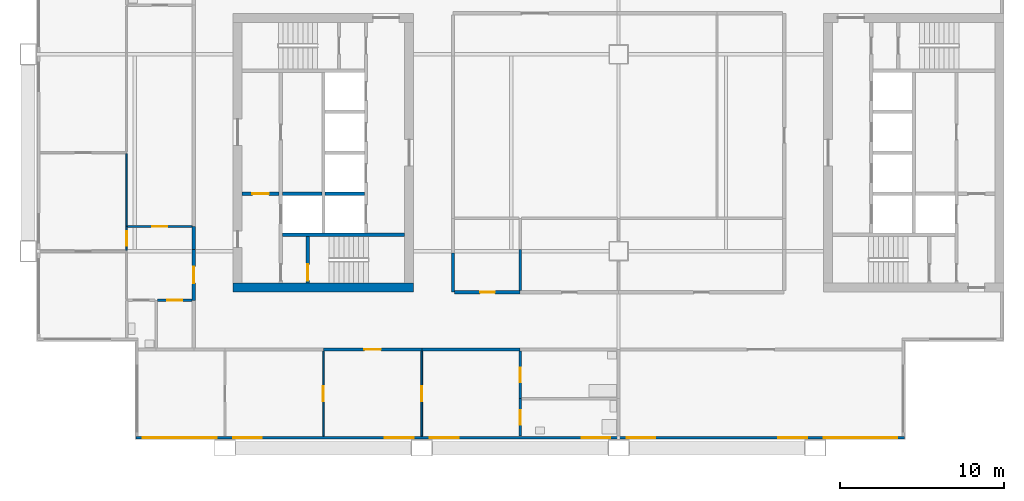
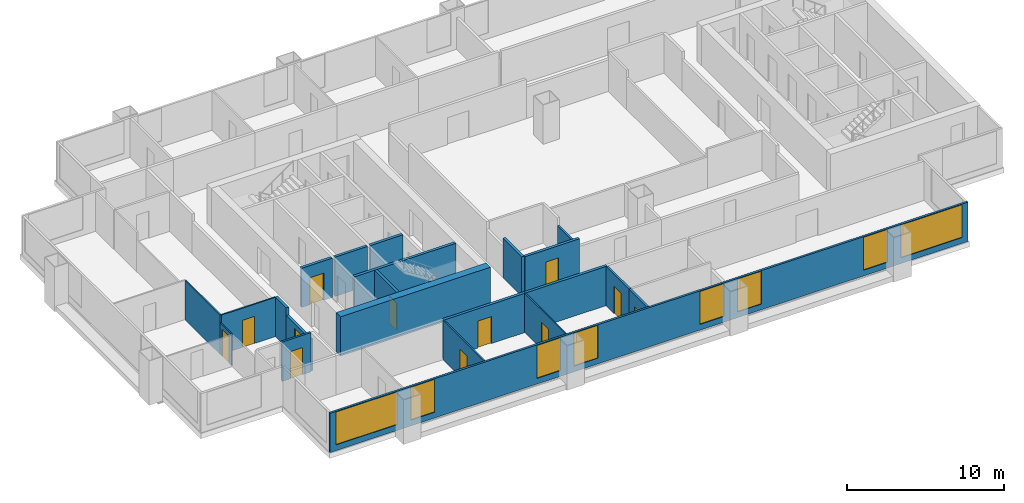
# One storey, part 2 of 8: 22 walls, 12 doors, 8 windows, 20 openings.
"""IFC4 building model written with IfcOpenShell, lengths in metres."""

from ifc_helpers import new_model, si_unit, direction, frame, frame_2d, origin, place, context, subcontext, project, spatial, rectangle, extrude, material, layer, layer_set, type_object, element, fill, save


model = new_model("IFC4")

# Units and contexts
model_context = context("Model", 3, precision=1e-05, world=origin(), true_north=direction((0.0, 1.0)))
body_context = subcontext(model_context, "Body", "Model", "MODEL_VIEW")
ifc_project = project(units=[si_unit("LENGTHUNIT", "METRE"), si_unit("AREAUNIT", "SQUARE_METRE"), si_unit("VOLUMEUNIT", "CUBIC_METRE"), si_unit("PLANEANGLEUNIT", "RADIAN"), si_unit("MASSUNIT", "GRAM", prefix="KILO")], contexts=[model_context])

# Site, building, storey
site_placement = place(None, origin())
site = spatial("IfcSite", under=ifc_project, at=site_placement, CompositionType="ELEMENT")
building_placement = place(site_placement, origin())
building = spatial("IfcBuilding", under=site, at=building_placement, Name="Kitamizu Gate Tower and Museum", CompositionType="ELEMENT")
storey_placement = place(building_placement, frame((0.0, 0.0, 161.699951171875)))
storey = spatial("IfcBuildingStorey", under=building, at=storey_placement, Name="L42", CompositionType="ELEMENT", Elevation=161.699951171875)

# Wall
ifc_material_1 = material(Name="Concrete Fc42", Category="concrete")
ifc_layer_1 = layer(ifc_material_1, 0.550048828125)
ifc_layer_set_1 = layer_set([ifc_layer_1], Name="Concrete Fc42")
wall_type_1 = type_object("IfcWallType", Name="Core wall 550", PredefinedType="SHEAR", material=ifc_layer_set_1)
wall_1_placement = place(storey_placement, frame((12.5, 21.77490234375, 0.0), z_axis=(0.0, 0.0, 1.0), x_axis=(1.0, 0.0, 0.0)))
element("IfcWall", 1, at=wall_1_placement, inside=storey, type_object=wall_type_1, Name="Core wall WS", PredefinedType="SHEAR", context=body_context, shape_type="SweptSolid", body=[
    extrude(rectangle(XDim=11.0, YDim=0.550048828125, at=frame_2d((5.5, 0.0))), origin(), (0.0, 0.0, 1.0), 3.050048828125),
])

# Wall, opening, door
ifc_material_2 = material(Name="Gypsum board on galvanised stud")
ifc_layer_2 = layer(ifc_material_2, 0.10009765625)
ifc_layer_set_2 = layer_set([ifc_layer_2], Name="Gypsum board on galvanised stud")
wall_type_2 = type_object("IfcWallType", Name="Partition 100 NOT RATED", PredefinedType="PARTITIONING", material=ifc_layer_set_2)
wall_2_placement = place(storey_placement, frame((18.0, 12.719970703125, 0.0), z_axis=(0.0, 0.0, 1.0), x_axis=(0.0, 1.0, 0.0)))
wall_2 = element("IfcWall", 2, at=wall_2_placement, inside=storey, type_object=wall_type_2, Name="Partition L42-005", PredefinedType="PARTITIONING", context=body_context, shape_type="SweptSolid", body=[
    extrude(rectangle(XDim=5.179931640625, YDim=0.10009765625, at=frame_2d((2.58984375, 0.0))), origin(), (0.0, 0.0, 1.0), 3.050048828125),
])
opening_1_placement = place(wall_2_placement, frame((2.139892578125, 0.0, 0.0)))
opening_1 = element("IfcOpeningElement", 3, at=opening_1_placement, cuts=wall_2, Name="Opening L42-002", PredefinedType="OPENING", context=body_context, shape_type="SweptSolid", body=[
    extrude(rectangle(XDim=0.89990234375, YDim=2.10009765625, at=frame_2d((0.449951171875, 1.050048828125))), frame((0.0, 0.06005859375, 0.0), z_axis=(0.0, -1.0, 0.0), x_axis=(1.0, 0.0, 0.0)), (0.0, 0.0, 1.0), 0.1201171875),
])
ifc_material_3 = material(Name="Timber door set", Category="wood")
door_type_1 = type_object("IfcDoorType", Name="Room door 900", OperationType="NOTDEFINED", PredefinedType="DOOR", material=ifc_material_3)
door_1_placement = place(opening_1_placement, origin())
door_1 = element("IfcDoor", 4, at=door_1_placement, inside=storey, type_object=door_type_1, Name="Door L42-002", OperationType="SINGLE_SWING_LEFT", OverallHeight=2.10009765625, OverallWidth=0.89990234375, PredefinedType="DOOR", context=body_context, shape_type="SweptSolid", body=[
    extrude(rectangle(XDim=0.89990234375, YDim=2.10009765625, at=frame_2d((0.449951171875, 1.050048828125))), frame((0.0, 0.02490234375, 0.0), z_axis=(0.0, -1.0, 0.0), x_axis=(1.0, 0.0, 0.0)), (0.0, 0.0, 1.0), 0.050048828125),
])
fill(opening_1, door_1)

wall_3_placement = place(storey_placement, frame((24.0, 12.719970703125, 0.0), z_axis=(0.0, 0.0, 1.0), x_axis=(0.0, 1.0, 0.0)))
wall_3 = element("IfcWall", 5, at=wall_3_placement, inside=storey, type_object=wall_type_2, Name="Partition L42-007", PredefinedType="PARTITIONING", context=body_context, shape_type="SweptSolid", body=[
    extrude(rectangle(XDim=5.179931640625, YDim=0.10009765625, at=frame_2d((2.58984375, 0.0))), origin(), (0.0, 0.0, 1.0), 3.050048828125),
])
opening_2_placement = place(wall_3_placement, frame((2.139892578125, 0.0, 0.0)))
opening_2 = element("IfcOpeningElement", 6, at=opening_2_placement, cuts=wall_3, Name="Opening L42-003", PredefinedType="OPENING", context=body_context, shape_type="SweptSolid", body=[
    extrude(rectangle(XDim=0.89990234375, YDim=2.10009765625, at=frame_2d((0.449951171875, 1.050048828125))), frame((0.0, 0.06005859375, 0.0), z_axis=(0.0, -1.0, 0.0), x_axis=(1.0, 0.0, 0.0)), (0.0, 0.0, 1.0), 0.1201171875),
])
door_2_placement = place(opening_2_placement, frame((0.89990234375, 0.0, 0.0), x_axis=(-1.0, 0.0, 0.0)))
door_2 = element("IfcDoor", 7, at=door_2_placement, inside=storey, type_object=door_type_1, Name="Door L42-003", OperationType="SINGLE_SWING_LEFT", OverallHeight=2.10009765625, OverallWidth=0.89990234375, PredefinedType="DOOR", context=body_context, shape_type="SweptSolid", body=[
    extrude(rectangle(XDim=0.89990234375, YDim=2.10009765625, at=frame_2d((0.449951171875, 1.050048828125))), frame((0.0, 0.02490234375, 0.0), z_axis=(0.0, -1.0, 0.0), x_axis=(1.0, 0.0, 0.0)), (0.0, 0.0, 1.0), 0.050048828125),
])
fill(opening_2, door_2)

wall_4_placement = place(storey_placement, frame((6.0, 24.050048828125, 0.0), z_axis=(0.0, 0.0, 1.0), x_axis=(0.0, 1.0, 0.0)))
wall_4 = element("IfcWall", 8, at=wall_4_placement, inside=storey, type_object=wall_type_2, Name="Partition L42-031", PredefinedType="PARTITIONING", context=body_context, shape_type="SweptSolid", body=[
    extrude(rectangle(XDim=1.449951171875, YDim=0.10009765625, at=frame_2d((0.72509765625, 0.0))), origin(), (0.0, 0.0, 1.0), 2.449951171875),
])
opening_3_placement = place(wall_4_placement, frame((0.27490234375, 0.0, 0.0)))
opening_3 = element("IfcOpeningElement", 9, at=opening_3_placement, cuts=wall_4, Name="Opening L42-013", PredefinedType="OPENING", context=body_context, shape_type="SweptSolid", body=[
    extrude(rectangle(XDim=0.89990234375, YDim=2.10009765625, at=frame_2d((0.449951171875, 1.050048828125))), frame((0.0, 0.06005859375, 0.0), z_axis=(0.0, -1.0, 0.0), x_axis=(1.0, 0.0, 0.0)), (0.0, 0.0, 1.0), 0.1201171875),
])
door_3_placement = place(opening_3_placement, origin())
door_3 = element("IfcDoor", 10, at=door_3_placement, inside=storey, type_object=door_type_1, Name="Door L42-013", OperationType="SINGLE_SWING_RIGHT", OverallHeight=2.10009765625, OverallWidth=0.89990234375, PredefinedType="DOOR", context=body_context, shape_type="SweptSolid", body=[
    extrude(rectangle(XDim=0.89990234375, YDim=2.10009765625, at=frame_2d((0.449951171875, 1.050048828125))), frame((0.0, 0.02490234375, 0.0), z_axis=(0.0, -1.0, 0.0), x_axis=(1.0, 0.0, 0.0)), (0.0, 0.0, 1.0), 0.050048828125),
])
fill(opening_3, door_3)

# Wall
wall_5_placement = place(storey_placement, frame((6.0, 25.5, 0.0), z_axis=(0.0, 0.0, 1.0), x_axis=(0.0, 1.0, 0.0)))
element("IfcWall", 11, at=wall_5_placement, inside=storey, type_object=wall_type_2, Name="Partition L42-032", PredefinedType="PARTITIONING", context=body_context, shape_type="SweptSolid", body=[
    extrude(rectangle(XDim=4.449951171875, YDim=0.10009765625, at=frame_2d((2.22509765625, 0.0))), origin(), (0.0, 0.0, 1.0), 3.050048828125),
])

# Wall, opening, door
wall_6_placement = place(storey_placement, frame((10.0, 25.5, 0.0), z_axis=(0.0, 0.0, 1.0), x_axis=(-1.0, 0.0, 0.0)))
wall_6 = element("IfcWall", 12, at=wall_6_placement, inside=storey, type_object=wall_type_2, Name="Partition L42-040", PredefinedType="PARTITIONING", context=body_context, shape_type="SweptSolid", body=[
    extrude(rectangle(XDim=3.949951171875, YDim=0.10009765625, at=frame_2d((1.97509765625, 0.0))), origin(), (0.0, 0.0, 1.0), 3.050048828125),
])
opening_4_placement = place(wall_6_placement, frame((1.52490234375, 0.0, 0.0)))
opening_4 = element("IfcOpeningElement", 13, at=opening_4_placement, cuts=wall_6, Name="Opening L42-014", PredefinedType="OPENING", context=body_context, shape_type="SweptSolid", body=[
    extrude(rectangle(XDim=0.89990234375, YDim=2.10009765625, at=frame_2d((0.449951171875, 1.050048828125))), frame((0.0, 0.06005859375, 0.0), z_axis=(0.0, -1.0, 0.0), x_axis=(1.0, 0.0, 0.0)), (0.0, 0.0, 1.0), 0.1201171875),
])
door_4_placement = place(opening_4_placement, origin())
door_4 = element("IfcDoor", 14, at=door_4_placement, inside=storey, type_object=door_type_1, Name="Door L42-014", OperationType="SINGLE_SWING_LEFT", OverallHeight=2.10009765625, OverallWidth=0.89990234375, PredefinedType="DOOR", context=body_context, shape_type="SweptSolid", body=[
    extrude(rectangle(XDim=0.89990234375, YDim=2.10009765625, at=frame_2d((0.449951171875, 1.050048828125))), frame((0.0, 0.02490234375, 0.0), z_axis=(0.0, -1.0, 0.0), x_axis=(1.0, 0.0, 0.0)), (0.0, 0.0, 1.0), 0.050048828125),
])
fill(opening_4, door_4)

ifc_material_4 = material(Name="Gypsum board on galvanised stud")
ifc_layer_3 = layer(ifc_material_4, 0.14990234375)
ifc_layer_set_3 = layer_set([ifc_layer_3], Name="Gypsum board on galvanised stud")
wall_type_3 = type_object("IfcWallType", Name="Partition 150", PredefinedType="PARTITIONING", material=ifc_layer_set_3)
wall_7_placement = place(storey_placement, frame((30.0, 12.719970703125, 0.0), z_axis=(0.0, 0.0, 1.0), x_axis=(0.0, 1.0, 0.0)))
wall_7 = element("IfcWall", 15, at=wall_7_placement, inside=storey, type_object=wall_type_3, Name="Partition L42-009", PredefinedType="PARTITIONING", context=body_context, shape_type="SweptSolid", body=[
    extrude(rectangle(XDim=2.280029296875, YDim=0.14990234375, at=frame_2d((1.14013671875, 0.0))), origin(), (0.0, 0.0, 1.0), 3.050048828125),
])
opening_5_placement = place(wall_7_placement, frame((0.68994140625, 0.0, 0.0)))
opening_5 = element("IfcOpeningElement", 16, at=opening_5_placement, cuts=wall_7, Name="Opening L42-004", PredefinedType="OPENING", context=body_context, shape_type="SweptSolid", body=[
    extrude(rectangle(XDim=0.89990234375, YDim=2.10009765625, at=frame_2d((0.449951171875, 1.050048828125))), frame((0.0, 0.0849609375, 0.0), z_axis=(0.0, -1.0, 0.0), x_axis=(1.0, 0.0, 0.0)), (0.0, 0.0, 1.0), 0.169921875),
])
ifc_material_5 = material(Name="Timber door set", Category="wood")
door_type_2 = type_object("IfcDoorType", Name="Bathroom door 900", OperationType="NOTDEFINED", PredefinedType="DOOR", material=ifc_material_5)
door_5_placement = place(opening_5_placement, frame((0.89990234375, 0.0, 0.0), x_axis=(-1.0, 0.0, 0.0)))
door_5 = element("IfcDoor", 17, at=door_5_placement, inside=storey, type_object=door_type_2, Name="Bathroom door L42-004", OperationType="SINGLE_SWING_RIGHT", OverallHeight=2.10009765625, OverallWidth=0.89990234375, PredefinedType="DOOR", context=body_context, shape_type="SweptSolid", body=[
    extrude(rectangle(XDim=0.89990234375, YDim=2.10009765625, at=frame_2d((0.449951171875, 1.050048828125))), frame((0.0, 0.02490234375, 0.0), z_axis=(0.0, -1.0, 0.0), x_axis=(1.0, 0.0, 0.0)), (0.0, 0.0, 1.0), 0.050048828125),
])
fill(opening_5, door_5)

wall_8_placement = place(storey_placement, frame((30.0, 15.0, 0.0), z_axis=(0.0, 0.0, 1.0), x_axis=(0.0, 1.0, 0.0)))
wall_8 = element("IfcWall", 18, at=wall_8_placement, inside=storey, type_object=wall_type_3, Name="Partition L42-010", PredefinedType="PARTITIONING", context=body_context, shape_type="SweptSolid", body=[
    extrude(rectangle(XDim=2.89990234375, YDim=0.14990234375, at=frame_2d((1.449951171875, 0.0))), origin(), (0.0, 0.0, 1.0), 3.050048828125),
])
opening_6_placement = place(wall_8_placement, frame((1.0, 0.0, 0.0)))
opening_6 = element("IfcOpeningElement", 19, at=opening_6_placement, cuts=wall_8, Name="Opening L42-006", PredefinedType="OPENING", context=body_context, shape_type="SweptSolid", body=[
    extrude(rectangle(XDim=0.89990234375, YDim=2.10009765625, at=frame_2d((0.449951171875, 1.050048828125))), frame((0.0, 0.0849609375, 0.0), z_axis=(0.0, -1.0, 0.0), x_axis=(1.0, 0.0, 0.0)), (0.0, 0.0, 1.0), 0.169921875),
])
door_6_placement = place(opening_6_placement, frame((0.89990234375, 0.0, 0.0), x_axis=(-1.0, 0.0, 0.0)))
door_6 = element("IfcDoor", 20, at=door_6_placement, inside=storey, type_object=door_type_2, Name="Bathroom door L42-006", OperationType="SINGLE_SWING_RIGHT", OverallHeight=2.10009765625, OverallWidth=0.89990234375, PredefinedType="DOOR", context=body_context, shape_type="SweptSolid", body=[
    extrude(rectangle(XDim=0.89990234375, YDim=2.10009765625, at=frame_2d((0.449951171875, 1.050048828125))), frame((0.0, 0.02490234375, 0.0), z_axis=(0.0, -1.0, 0.0), x_axis=(1.0, 0.0, 0.0)), (0.0, 0.0, 1.0), 0.050048828125),
])
fill(opening_6, door_6)

wall_9_placement = place(storey_placement, frame((10.0, 21.0, 0.0), z_axis=(0.0, 0.0, 1.0), x_axis=(-1.0, 0.0, 0.0)))
wall_9 = element("IfcWall", 21, at=wall_9_placement, inside=storey, type_object=wall_type_3, Name="Partition L42-038", PredefinedType="PARTITIONING", context=body_context, shape_type="SweptSolid", body=[
    extrude(rectangle(XDim=2.125, YDim=0.14990234375, at=frame_2d((1.0625, 0.0))), origin(), (0.0, 0.0, 1.0), 3.050048828125),
])
opening_7_placement = place(wall_9_placement, frame((0.612548828125, 0.0, 0.0)))
opening_7 = element("IfcOpeningElement", 22, at=opening_7_placement, cuts=wall_9, Name="Opening L42-018", PredefinedType="OPENING", context=body_context, shape_type="SweptSolid", body=[
    extrude(rectangle(XDim=0.89990234375, YDim=2.10009765625, at=frame_2d((0.449951171875, 1.050048828125))), frame((0.0, 0.0849609375, 0.0), z_axis=(0.0, -1.0, 0.0), x_axis=(1.0, 0.0, 0.0)), (0.0, 0.0, 1.0), 0.169921875),
])
door_7_placement = place(opening_7_placement, origin())
door_7 = element("IfcDoor", 23, at=door_7_placement, inside=storey, type_object=door_type_2, Name="Bathroom door L42-018", OperationType="SINGLE_SWING_LEFT", OverallHeight=2.10009765625, OverallWidth=0.89990234375, PredefinedType="DOOR", context=body_context, shape_type="SweptSolid", body=[
    extrude(rectangle(XDim=0.89990234375, YDim=2.10009765625, at=frame_2d((0.449951171875, 1.050048828125))), frame((0.0, 0.02490234375, 0.0), z_axis=(0.0, -1.0, 0.0), x_axis=(1.0, 0.0, 0.0)), (0.0, 0.0, 1.0), 0.050048828125),
])
fill(opening_7, door_7)

# Wall
wall_10_placement = place(storey_placement, frame((30.0, 21.60009765625, 0.0), z_axis=(0.0, 0.0, 1.0), x_axis=(0.0, 1.0, 0.0)))
element("IfcWall", 24, at=wall_10_placement, inside=storey, type_object=wall_type_3, Name="Partition L42-063", PredefinedType="PARTITIONING", context=body_context, shape_type="SweptSolid", body=[
    extrude(rectangle(XDim=2.5, YDim=0.14990234375, at=frame_2d((1.25, 0.0))), origin(), (0.0, 0.0, 1.0), 2.449951171875),
])

# Wall, opening, door
ifc_material_6 = material(Name="Gypsum board on galvanised stud")
ifc_layer_4 = layer(ifc_material_6, 0.199951171875)
ifc_layer_set_4 = layer_set([ifc_layer_4], Name="Gypsum board on galvanised stud")
wall_type_4 = type_object("IfcWallType", Name="Partition 200", PredefinedType="PARTITIONING", material=ifc_layer_set_4)
wall_11_placement = place(storey_placement, frame((24.0, 18.0, 0.0), z_axis=(0.0, 0.0, 1.0), x_axis=(-1.0, 0.0, 0.0)))
wall_11 = element("IfcWall", 25, at=wall_11_placement, inside=storey, type_object=wall_type_4, Name="Partition L42-008", PredefinedType="PARTITIONING", context=body_context, shape_type="SweptSolid", body=[
    extrude(rectangle(XDim=6.0, YDim=0.199951171875, at=frame_2d((3.0, 0.0))), origin(), (0.0, 0.0, 1.0), 3.050048828125),
])
opening_8_placement = place(wall_11_placement, frame((2.5, 0.0, 0.0)))
opening_8 = element("IfcOpeningElement", 26, at=opening_8_placement, cuts=wall_11, Name="Opening L42-001", PredefinedType="OPENING", context=body_context, shape_type="SweptSolid", body=[
    extrude(rectangle(XDim=1.0, YDim=2.10009765625, at=frame_2d((0.5, 1.050048828125))), frame((0.0, 0.10986328125, 0.0), z_axis=(0.0, -1.0, 0.0), x_axis=(1.0, 0.0, 0.0)), (0.0, 0.0, 1.0), 0.219970703125),
])
ifc_material_7 = material(Name="Timber door set", Category="wood")
door_type_3 = type_object("IfcDoorType", Name="Flat entrance door 1000", OperationType="NOTDEFINED", PredefinedType="DOOR", material=ifc_material_7)
door_8_placement = place(opening_8_placement, origin())
door_8 = element("IfcDoor", 27, at=door_8_placement, inside=storey, type_object=door_type_3, Name="Flat entrance door L42-001", OperationType="SINGLE_SWING_RIGHT", OverallHeight=2.10009765625, OverallWidth=1.0, PredefinedType="DOOR", context=body_context, shape_type="SweptSolid", body=[
    extrude(rectangle(XDim=1.0, YDim=2.10009765625, at=frame_2d((0.5, 1.050048828125))), frame((0.0, 0.02490234375, 0.0), z_axis=(0.0, -1.0, 0.0), x_axis=(1.0, 0.0, 0.0)), (0.0, 0.0, 1.0), 0.050048828125),
])
fill(opening_8, door_8)

# Wall
wall_12_placement = place(storey_placement, frame((30.0, 18.0, 0.0), z_axis=(0.0, 0.0, 1.0), x_axis=(-1.0, 0.0, 0.0)))
element("IfcWall", 28, at=wall_12_placement, inside=storey, type_object=wall_type_4, Name="Partition L42-011", PredefinedType="PARTITIONING", context=body_context, shape_type="SweptSolid", body=[
    extrude(rectangle(XDim=6.0, YDim=0.199951171875, at=frame_2d((3.0, 0.0))), origin(), (0.0, 0.0, 1.0), 3.050048828125),
])

# Wall, opening, door
wall_13_placement = place(storey_placement, frame((10.10009765625, 21.0, 0.0), z_axis=(0.0, 0.0, 1.0), x_axis=(0.0, 1.0, 0.0)))
wall_13 = element("IfcWall", 29, at=wall_13_placement, inside=storey, type_object=wall_type_4, Name="Partition L42-041", PredefinedType="PARTITIONING", context=body_context, shape_type="SweptSolid", body=[
    extrude(rectangle(XDim=3.10009765625, YDim=0.199951171875, at=frame_2d((1.550048828125, 0.0))), origin(), (0.0, 0.0, 1.0), 2.449951171875),
])
opening_9_placement = place(wall_13_placement, frame((1.050048828125, 0.0, 0.0)))
opening_9 = element("IfcOpeningElement", 30, at=opening_9_placement, cuts=wall_13, Name="Opening L42-012", PredefinedType="OPENING", context=body_context, shape_type="SweptSolid", body=[
    extrude(rectangle(XDim=1.0, YDim=2.10009765625, at=frame_2d((0.5, 1.050048828125))), frame((0.0, 0.10986328125, 0.0), z_axis=(0.0, -1.0, 0.0), x_axis=(1.0, 0.0, 0.0)), (0.0, 0.0, 1.0), 0.219970703125),
])
door_9_placement = place(opening_9_placement, origin())
door_9 = element("IfcDoor", 31, at=door_9_placement, inside=storey, type_object=door_type_3, Name="Flat entrance door L42-012", OperationType="SINGLE_SWING_RIGHT", OverallHeight=2.10009765625, OverallWidth=1.0, PredefinedType="DOOR", context=body_context, shape_type="SweptSolid", body=[
    extrude(rectangle(XDim=1.0, YDim=2.10009765625, at=frame_2d((0.5, 1.050048828125))), frame((0.0, 0.02490234375, 0.0), z_axis=(0.0, -1.0, 0.0), x_axis=(1.0, 0.0, 0.0)), (0.0, 0.0, 1.0), 0.050048828125),
])
fill(opening_9, door_9)

# Walls
wall_14_placement = place(storey_placement, frame((10.10009765625, 24.10009765625, 0.0), z_axis=(0.0, 0.0, 1.0), x_axis=(0.0, 1.0, 0.0)))
element("IfcWall", 32, at=wall_14_placement, inside=storey, type_object=wall_type_4, Name="Partition L42-042", PredefinedType="PARTITIONING", context=body_context, shape_type="SweptSolid", body=[
    extrude(rectangle(XDim=1.39990234375, YDim=0.199951171875, at=frame_2d((0.699951171875, 0.0))), origin(), (0.0, 0.0, 1.0), 3.050048828125),
])
wall_15_placement = place(storey_placement, frame((25.89990234375, 23.89990234375, 0.0), z_axis=(0.0, 0.0, 1.0), x_axis=(0.0, -1.0, 0.0)))
element("IfcWall", 33, at=wall_15_placement, inside=storey, type_object=wall_type_4, Name="Partition L42-050", PredefinedType="PARTITIONING", context=body_context, shape_type="SweptSolid", body=[
    extrude(rectangle(XDim=2.39990234375, YDim=0.199951171875, at=frame_2d((1.199951171875, 0.0))), origin(), (0.0, 0.0, 1.0), 3.050048828125),
])

# Wall, opening, door
wall_16_placement = place(storey_placement, frame((26.0, 21.5, 0.0), z_axis=(0.0, 0.0, 1.0), x_axis=(1.0, 0.0, 0.0)))
wall_16 = element("IfcWall", 34, at=wall_16_placement, inside=storey, type_object=wall_type_4, Name="Partition L42-051", PredefinedType="PARTITIONING", context=body_context, shape_type="SweptSolid", body=[
    extrude(rectangle(XDim=4.0, YDim=0.199951171875, at=frame_2d((2.0, 0.0))), origin(), (0.0, 0.0, 1.0), 3.050048828125),
])
opening_10_placement = place(wall_16_placement, frame((1.550048828125, 0.0, 0.0)))
opening_10 = element("IfcOpeningElement", 35, at=opening_10_placement, cuts=wall_16, Name="Opening L42-022", PredefinedType="OPENING", context=body_context, shape_type="SweptSolid", body=[
    extrude(rectangle(XDim=0.89990234375, YDim=2.10009765625, at=frame_2d((0.449951171875, 1.050048828125))), frame((0.0, 0.10986328125, 0.0), z_axis=(0.0, -1.0, 0.0), x_axis=(1.0, 0.0, 0.0)), (0.0, 0.0, 1.0), 0.219970703125),
])
door_10_placement = place(opening_10_placement, origin())
door_10 = element("IfcDoor", 36, at=door_10_placement, inside=storey, type_object=door_type_1, Name="Door L42-022", OperationType="SINGLE_SWING_LEFT", OverallHeight=2.10009765625, OverallWidth=0.89990234375, PredefinedType="DOOR", context=body_context, shape_type="SweptSolid", body=[
    extrude(rectangle(XDim=0.89990234375, YDim=2.10009765625, at=frame_2d((0.449951171875, 1.050048828125))), frame((0.0, 0.02490234375, 0.0), z_axis=(0.0, -1.0, 0.0), x_axis=(1.0, 0.0, 0.0)), (0.0, 0.0, 1.0), 0.050048828125),
])
fill(opening_10, door_10)

# Wall
ifc_material_8 = material(Name="Concrete Fc42", Category="concrete")
ifc_layer_5 = layer(ifc_material_8, 0.199951171875)
ifc_layer_set_5 = layer_set([ifc_layer_5], Name="Concrete Fc42")
wall_type_5 = type_object("IfcWallType", Name="Shaft wall 200", PredefinedType="SOLIDWALL", material=ifc_layer_set_5)
wall_17_placement = place(storey_placement, frame((15.5, 25.0, 0.0), z_axis=(0.0, 0.0, 1.0), x_axis=(1.0, 0.0, 0.0)))
element("IfcWall", 37, at=wall_17_placement, inside=storey, type_object=wall_type_5, Name="Shaft wall WSB", PredefinedType="SOLIDWALL", context=body_context, shape_type="SweptSolid", body=[
    extrude(rectangle(XDim=7.449951171875, YDim=0.199951171875, at=frame_2d((3.72509765625, 0.0))), origin(), (0.0, 0.0, 1.0), 3.050048828125),
])

# Wall, opening, door
wall_18_placement = place(storey_placement, frame((13.050048828125, 27.5, 0.0), z_axis=(0.0, 0.0, 1.0), x_axis=(1.0, 0.0, 0.0)))
wall_18 = element("IfcWall", 38, at=wall_18_placement, inside=storey, type_object=wall_type_5, Name="Shaft wall WFFN", PredefinedType="SOLIDWALL", context=body_context, shape_type="SweptSolid", body=[
    extrude(rectangle(XDim=2.25, YDim=0.199951171875, at=frame_2d((1.125, 0.0))), origin(), (0.0, 0.0, 1.0), 3.050048828125),
])
opening_11_placement = place(wall_18_placement, frame((0.625, 0.0, 0.0)))
opening_11 = element("IfcOpeningElement", 39, at=opening_11_placement, cuts=wall_18, Name="Opening L42-031", PredefinedType="OPENING", context=body_context, shape_type="SweptSolid", body=[
    extrude(rectangle(XDim=1.0, YDim=2.10009765625, at=frame_2d((0.5, 1.050048828125))), frame((0.0, 0.10986328125, 0.0), z_axis=(0.0, -1.0, 0.0), x_axis=(1.0, 0.0, 0.0)), (0.0, 0.0, 1.0), 0.219970703125),
])
ifc_material_9 = material(Name="Hollow metal door set")
door_type_4 = type_object("IfcDoorType", Name="Fire door 1000", OperationType="NOTDEFINED", PredefinedType="DOOR", material=ifc_material_9)
door_11_placement = place(opening_11_placement, frame((1.0, 0.0, 0.0), x_axis=(-1.0, 0.0, 0.0)))
door_11 = element("IfcDoor", 40, at=door_11_placement, inside=storey, type_object=door_type_4, Name="Fire-fighting lobby door L42-031", OperationType="SINGLE_SWING_RIGHT", OverallHeight=2.10009765625, OverallWidth=1.0, PredefinedType="DOOR", context=body_context, shape_type="SweptSolid", body=[
    extrude(rectangle(XDim=1.0, YDim=2.10009765625, at=frame_2d((0.5, 1.050048828125))), frame((0.0, 0.02490234375, 0.0), z_axis=(0.0, -1.0, 0.0), x_axis=(1.0, 0.0, 0.0)), (0.0, 0.0, 1.0), 0.050048828125),
])
fill(opening_11, door_11)

wall_19_placement = place(storey_placement, frame((17.050048828125, 22.050048828125, 0.0), z_axis=(0.0, 0.0, 1.0), x_axis=(0.0, 1.0, 0.0)))
wall_19 = element("IfcWall", 41, at=wall_19_placement, inside=storey, type_object=wall_type_5, Name="Shaft wall WSZ", PredefinedType="SOLIDWALL", context=body_context, shape_type="SweptSolid", body=[
    extrude(rectangle(XDim=2.849853515625, YDim=0.199951171875, at=frame_2d((1.4248046875, 0.0))), origin(), (0.0, 0.0, 1.0), 3.050048828125),
])
opening_12_placement = place(wall_19_placement, frame((0.14990234375, 0.0, 0.0)))
opening_12 = element("IfcOpeningElement", 42, at=opening_12_placement, cuts=wall_19, Name="Opening L42-027", PredefinedType="OPENING", context=body_context, shape_type="SweptSolid", body=[
    extrude(rectangle(XDim=1.0, YDim=2.10009765625, at=frame_2d((0.5, 1.050048828125))), frame((0.0, 0.10986328125, 0.0), z_axis=(0.0, -1.0, 0.0), x_axis=(1.0, 0.0, 0.0)), (0.0, 0.0, 1.0), 0.219970703125),
])
door_12_placement = place(opening_12_placement, frame((1.0, 0.0, 0.0), x_axis=(-1.0, 0.0, 0.0)))
door_12 = element("IfcDoor", 43, at=door_12_placement, inside=storey, type_object=door_type_4, Name="Stair door L42-027", OperationType="SINGLE_SWING_LEFT", OverallHeight=2.10009765625, OverallWidth=1.0, PredefinedType="DOOR", context=body_context, shape_type="SweptSolid", body=[
    extrude(rectangle(XDim=1.0, YDim=2.10009765625, at=frame_2d((0.5, 1.050048828125))), frame((0.0, 0.02490234375, 0.0), z_axis=(0.0, -1.0, 0.0), x_axis=(1.0, 0.0, 0.0)), (0.0, 0.0, 1.0), 0.050048828125),
])
fill(opening_12, door_12)

# Walls
for number, where, z_axis, x_axis, name in (
    (44, (15.5, 27.5, 0.0), (0.0, 0.0, 1.0), (1.0, 0.0, 0.0), "Shaft wall WDVW0"),
    (45, (18.10009765625, 27.5, 0.0), (0.0, 0.0, 1.0), (1.0, 0.0, 0.0), "Shaft wall WDVE0"),
):
    element("IfcWall", number, at=place(storey_placement, frame(where, z_axis=z_axis, x_axis=x_axis)), inside=storey, type_object=wall_type_5, Name=name, PredefinedType="SOLIDWALL", context=body_context, shape_type="SweptSolid", body=[
        extrude(rectangle(XDim=2.39990234375, YDim=0.199951171875, at=frame_2d((1.199951171875, 0.0))), origin(), (0.0, 0.0, 1.0), 3.050048828125),
    ])

# Wall, openings, windows
ifc_material_10 = material(Name="Bronze anodised aluminium frame with insulated spandrel and tinted glass", Category="aluminium")
ifc_layer_6 = layer(ifc_material_10, 0.14990234375)
ifc_layer_set_6 = layer_set([ifc_layer_6], Name="Bronze anodised aluminium frame with insulated spandrel and tinted glass")
wall_type_6 = type_object("IfcWallType", Name="WINDOW WALL 150 BRONZE FRAME EI 30", PredefinedType="ELEMENTEDWALL", material=ifc_layer_set_6)
wall_20_placement = place(storey_placement, frame((6.56005859375, 12.635009765625, 0.0), z_axis=(0.0, 0.0, 1.0), x_axis=(1.0, 0.0, 0.0)))
wall_20 = element("IfcWall", 46, at=wall_20_placement, inside=storey, type_object=wall_type_6, Name="Window wall south L42", PredefinedType="ELEMENTEDWALL", context=body_context, shape_type="SweptSolid", body=[
    extrude(rectangle(XDim=46.8798828125, YDim=0.14990234375, at=frame_2d((23.43994140625, 0.0))), origin(), (0.0, 0.0, 1.0), 3.050048828125),
])
opening_13_placement = place(wall_20_placement, frame((0.43994140625, 0.0, 0.449951171875)))
opening_13 = element("IfcOpeningElement", 47, at=opening_13_placement, cuts=wall_20, Name="Opening W15", PredefinedType="OPENING", context=body_context, shape_type="SweptSolid", body=[
    extrude(rectangle(XDim=4.5, YDim=2.550048828125, at=frame_2d((2.25, 1.27490234375))), frame((0.0, 0.0849609375, 0.0), z_axis=(0.0, -1.0, 0.0), x_axis=(1.0, 0.0, 0.0)), (0.0, 0.0, 1.0), 0.169921875),
])
opening_14_placement = place(wall_20_placement, frame((5.93994140625, 0.0, 0.449951171875)))
opening_14 = element("IfcOpeningElement", 48, at=opening_14_placement, cuts=wall_20, Name="Opening W29", PredefinedType="OPENING", context=body_context, shape_type="SweptSolid", body=[
    extrude(rectangle(XDim=1.75, YDim=2.550048828125, at=frame_2d((0.875, 1.27490234375))), frame((0.0, 0.0849609375, 0.0), z_axis=(0.0, -1.0, 0.0), x_axis=(1.0, 0.0, 0.0)), (0.0, 0.0, 1.0), 0.169921875),
])
opening_15_placement = place(wall_20_placement, frame((15.18994140625, 0.0, 0.449951171875)))
opening_15 = element("IfcOpeningElement", 49, at=opening_15_placement, cuts=wall_20, Name="Opening W29", PredefinedType="OPENING", context=body_context, shape_type="SweptSolid", body=[
    extrude(rectangle(XDim=1.75, YDim=2.550048828125, at=frame_2d((0.875, 1.27490234375))), frame((0.0, 0.0849609375, 0.0), z_axis=(0.0, -1.0, 0.0), x_axis=(1.0, 0.0, 0.0)), (0.0, 0.0, 1.0), 0.169921875),
])
opening_16_placement = place(wall_20_placement, frame((17.93994140625, 0.0, 0.449951171875)))
opening_16 = element("IfcOpeningElement", 50, at=opening_16_placement, cuts=wall_20, Name="Opening W29", PredefinedType="OPENING", context=body_context, shape_type="SweptSolid", body=[
    extrude(rectangle(XDim=1.75, YDim=2.550048828125, at=frame_2d((0.875, 1.27490234375))), frame((0.0, 0.0849609375, 0.0), z_axis=(0.0, -1.0, 0.0), x_axis=(1.0, 0.0, 0.0)), (0.0, 0.0, 1.0), 0.169921875),
])
opening_17_placement = place(wall_20_placement, frame((27.18994140625, 0.0, 0.449951171875)))
opening_17 = element("IfcOpeningElement", 51, at=opening_17_placement, cuts=wall_20, Name="Opening W29", PredefinedType="OPENING", context=body_context, shape_type="SweptSolid", body=[
    extrude(rectangle(XDim=1.75, YDim=2.550048828125, at=frame_2d((0.875, 1.27490234375))), frame((0.0, 0.0849609375, 0.0), z_axis=(0.0, -1.0, 0.0), x_axis=(1.0, 0.0, 0.0)), (0.0, 0.0, 1.0), 0.169921875),
])
opening_18_placement = place(wall_20_placement, frame((29.93994140625, 0.0, 0.449951171875)))
opening_18 = element("IfcOpeningElement", 52, at=opening_18_placement, cuts=wall_20, Name="Opening W29", PredefinedType="OPENING", context=body_context, shape_type="SweptSolid", body=[
    extrude(rectangle(XDim=1.75, YDim=2.550048828125, at=frame_2d((0.875, 1.27490234375))), frame((0.0, 0.0849609375, 0.0), z_axis=(0.0, -1.0, 0.0), x_axis=(1.0, 0.0, 0.0)), (0.0, 0.0, 1.0), 0.169921875),
])
opening_19_placement = place(wall_20_placement, frame((39.18994140625, 0.0, 0.449951171875)))
opening_19 = element("IfcOpeningElement", 53, at=opening_19_placement, cuts=wall_20, Name="Opening W29", PredefinedType="OPENING", context=body_context, shape_type="SweptSolid", body=[
    extrude(rectangle(XDim=1.75, YDim=2.550048828125, at=frame_2d((0.875, 1.27490234375))), frame((0.0, 0.0849609375, 0.0), z_axis=(0.0, -1.0, 0.0), x_axis=(1.0, 0.0, 0.0)), (0.0, 0.0, 1.0), 0.169921875),
])
opening_20_placement = place(wall_20_placement, frame((41.93994140625, 0.0, 0.449951171875)))
opening_20 = element("IfcOpeningElement", 54, at=opening_20_placement, cuts=wall_20, Name="Opening W15", PredefinedType="OPENING", context=body_context, shape_type="SweptSolid", body=[
    extrude(rectangle(XDim=4.5, YDim=2.550048828125, at=frame_2d((2.25, 1.27490234375))), frame((0.0, 0.0849609375, 0.0), z_axis=(0.0, -1.0, 0.0), x_axis=(1.0, 0.0, 0.0)), (0.0, 0.0, 1.0), 0.169921875),
])
ifc_material_11 = material(Name="Bronze anodised aluminium frame, tinted triple glazing", Category="aluminium")
window_type_1 = type_object("IfcWindowType", Name="WINDOW 1750 x 2550 SILL 450", PartitioningType="SINGLE_PANEL", PredefinedType="WINDOW", material=ifc_material_11)
window_1_placement = place(opening_14_placement, origin())
window_1 = element("IfcWindow", 55, at=window_1_placement, inside=storey, type_object=window_type_1, Name="Window W29 L42", OverallHeight=2.550048828125, OverallWidth=1.75, PartitioningType="SINGLE_PANEL", PredefinedType="WINDOW", context=body_context, shape_type="SweptSolid", body=[
    extrude(rectangle(XDim=1.75, YDim=2.550048828125, at=frame_2d((0.875, 1.27490234375))), frame((0.0, 0.030029296875, 0.0), z_axis=(0.0, -1.0, 0.0), x_axis=(1.0, 0.0, 0.0)), (0.0, 0.0, 1.0), 0.06005859375),
])
fill(opening_14, window_1)
window_2_placement = place(opening_15_placement, origin())
window_2 = element("IfcWindow", 56, at=window_2_placement, inside=storey, type_object=window_type_1, Name="Window W29 L42", OverallHeight=2.550048828125, OverallWidth=1.75, PartitioningType="SINGLE_PANEL", PredefinedType="WINDOW", context=body_context, shape_type="SweptSolid", body=[
    extrude(rectangle(XDim=1.75, YDim=2.550048828125, at=frame_2d((0.875, 1.27490234375))), frame((0.0, 0.030029296875, 0.0), z_axis=(0.0, -1.0, 0.0), x_axis=(1.0, 0.0, 0.0)), (0.0, 0.0, 1.0), 0.06005859375),
])
fill(opening_15, window_2)
window_3_placement = place(opening_16_placement, origin())
window_3 = element("IfcWindow", 57, at=window_3_placement, inside=storey, type_object=window_type_1, Name="Window W29 L42", OverallHeight=2.550048828125, OverallWidth=1.75, PartitioningType="SINGLE_PANEL", PredefinedType="WINDOW", context=body_context, shape_type="SweptSolid", body=[
    extrude(rectangle(XDim=1.75, YDim=2.550048828125, at=frame_2d((0.875, 1.27490234375))), frame((0.0, 0.030029296875, 0.0), z_axis=(0.0, -1.0, 0.0), x_axis=(1.0, 0.0, 0.0)), (0.0, 0.0, 1.0), 0.06005859375),
])
fill(opening_16, window_3)
window_4_placement = place(opening_17_placement, origin())
window_4 = element("IfcWindow", 58, at=window_4_placement, inside=storey, type_object=window_type_1, Name="Window W29 L42", OverallHeight=2.550048828125, OverallWidth=1.75, PartitioningType="SINGLE_PANEL", PredefinedType="WINDOW", context=body_context, shape_type="SweptSolid", body=[
    extrude(rectangle(XDim=1.75, YDim=2.550048828125, at=frame_2d((0.875, 1.27490234375))), frame((0.0, 0.030029296875, 0.0), z_axis=(0.0, -1.0, 0.0), x_axis=(1.0, 0.0, 0.0)), (0.0, 0.0, 1.0), 0.06005859375),
])
fill(opening_17, window_4)
window_5_placement = place(opening_18_placement, origin())
window_5 = element("IfcWindow", 59, at=window_5_placement, inside=storey, type_object=window_type_1, Name="Window W29 L42", OverallHeight=2.550048828125, OverallWidth=1.75, PartitioningType="SINGLE_PANEL", PredefinedType="WINDOW", context=body_context, shape_type="SweptSolid", body=[
    extrude(rectangle(XDim=1.75, YDim=2.550048828125, at=frame_2d((0.875, 1.27490234375))), frame((0.0, 0.030029296875, 0.0), z_axis=(0.0, -1.0, 0.0), x_axis=(1.0, 0.0, 0.0)), (0.0, 0.0, 1.0), 0.06005859375),
])
fill(opening_18, window_5)
window_6_placement = place(opening_19_placement, origin())
window_6 = element("IfcWindow", 60, at=window_6_placement, inside=storey, type_object=window_type_1, Name="Window W29 L42", OverallHeight=2.550048828125, OverallWidth=1.75, PartitioningType="SINGLE_PANEL", PredefinedType="WINDOW", context=body_context, shape_type="SweptSolid", body=[
    extrude(rectangle(XDim=1.75, YDim=2.550048828125, at=frame_2d((0.875, 1.27490234375))), frame((0.0, 0.030029296875, 0.0), z_axis=(0.0, -1.0, 0.0), x_axis=(1.0, 0.0, 0.0)), (0.0, 0.0, 1.0), 0.06005859375),
])
fill(opening_19, window_6)
ifc_material_12 = material(Name="Bronze anodised aluminium frame, tinted triple glazing", Category="aluminium")
window_type_2 = type_object("IfcWindowType", Name="WINDOW 4500 x 2550 SILL 450", PartitioningType="SINGLE_PANEL", PredefinedType="WINDOW", material=ifc_material_12)
window_7_placement = place(opening_13_placement, origin())
window_7 = element("IfcWindow", 61, at=window_7_placement, inside=storey, type_object=window_type_2, Name="Window W15 L42", OverallHeight=2.550048828125, OverallWidth=4.5, PartitioningType="SINGLE_PANEL", PredefinedType="WINDOW", context=body_context, shape_type="SweptSolid", body=[
    extrude(rectangle(XDim=4.5, YDim=2.550048828125, at=frame_2d((2.25, 1.27490234375))), frame((0.0, 0.030029296875, 0.0), z_axis=(0.0, -1.0, 0.0), x_axis=(1.0, 0.0, 0.0)), (0.0, 0.0, 1.0), 0.06005859375),
])
fill(opening_13, window_7)
window_8_placement = place(opening_20_placement, origin())
window_8 = element("IfcWindow", 62, at=window_8_placement, inside=storey, type_object=window_type_2, Name="Window W15 L42", OverallHeight=2.550048828125, OverallWidth=4.5, PartitioningType="SINGLE_PANEL", PredefinedType="WINDOW", context=body_context, shape_type="SweptSolid", body=[
    extrude(rectangle(XDim=4.5, YDim=2.550048828125, at=frame_2d((2.25, 1.27490234375))), frame((0.0, 0.030029296875, 0.0), z_axis=(0.0, -1.0, 0.0), x_axis=(1.0, 0.0, 0.0)), (0.0, 0.0, 1.0), 0.06005859375),
])
fill(opening_20, window_8)

save(model, "model.ifc")
